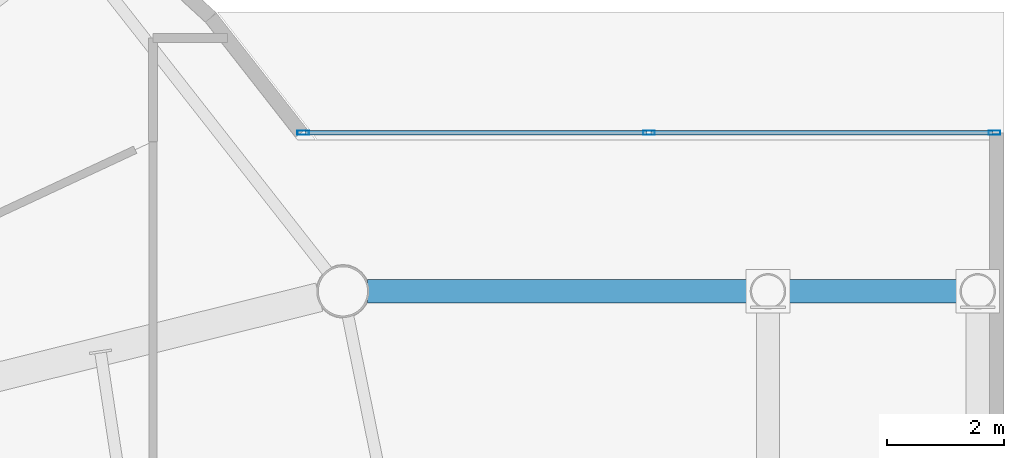
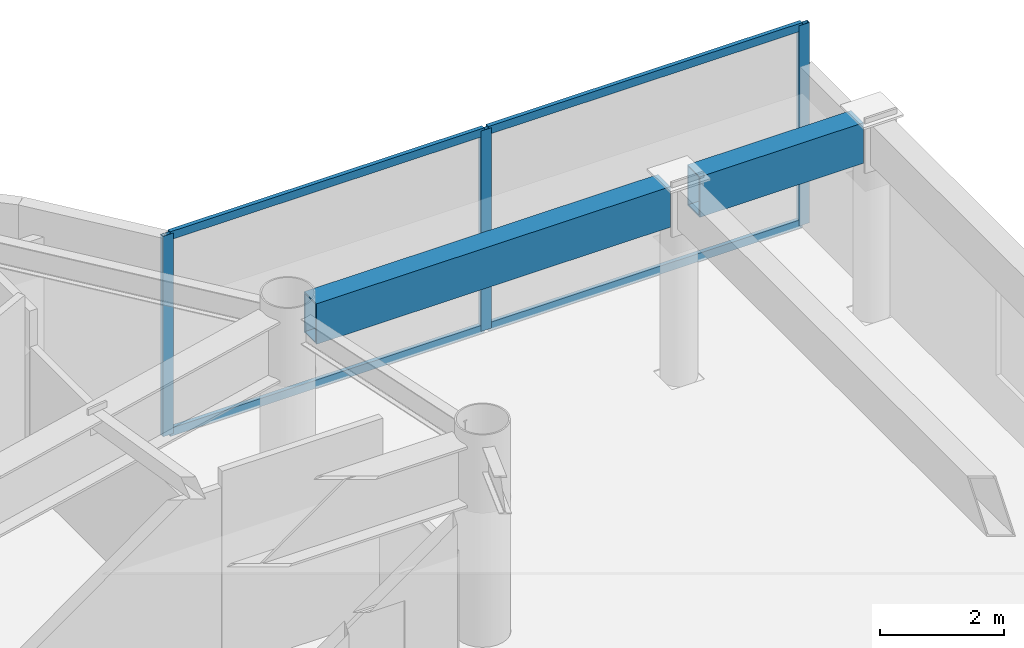
# One storey, part 12 of 26: 7 members, 2 beams, 1 element without a shape of its own.
"""IFC4 building model written with IfcOpenShell, lengths in metres."""

from ifc_helpers import new_model, si_unit, direction, frame, origin, origin_2d, place, context, subcontext, project, spatial, hollow_rectangle, extrude, source, transform, mapped, material, layer, layer_set, material_profile, profile_set, type_object, element, aggregate, save


model = new_model("IFC4")

# Units and contexts
model_context = context("Model", 3, precision=1e-05, world=origin(), true_north=direction((0.0, 1.0)))
body_context = subcontext(model_context, "Body", "Model", "MODEL_VIEW")
ifc_project = project(units=[si_unit("LENGTHUNIT", "METRE"), si_unit("AREAUNIT", "SQUARE_METRE"), si_unit("VOLUMEUNIT", "CUBIC_METRE"), si_unit("PLANEANGLEUNIT", "RADIAN"), si_unit("MASSUNIT", "GRAM", prefix="KILO")], contexts=[model_context])

# Site, building, storey
site_placement = place(None, origin())
site = spatial("IfcSite", under=ifc_project, at=site_placement, CompositionType="ELEMENT")
building_placement = place(site_placement, origin())
building = spatial("IfcBuilding", under=site, at=building_placement, Name="Linh Dai School and Residence Tower", CompositionType="ELEMENT")
storey_placement = place(building_placement, frame((0.0, 0.0, 351.0)))
storey = spatial("IfcBuildingStorey", under=building, at=storey_placement, Name="L87", CompositionType="ELEMENT", Elevation=351.0)

# Beams
ifc_material_1 = material(Name="Structural Steel S355JR", Category="steel")
ifc_material_profile_1 = material_profile(ifc_material_1, hollow_rectangle(XDim=0.39990234375, YDim=0.800048828125, WallThickness=0.02490234375, at=origin_2d()), Name="RHS 800x400x25")
ifc_profile_set_1 = profile_set([ifc_material_profile_1], Name="Structural Steel S355JR")
beam_type = type_object("IfcBeamType", Name="BM-BX8", PredefinedType="BEAM", material=ifc_profile_set_1)
beam_1_placement = place(storey_placement, frame((55.177734375, 31.65478515625, 3.550048828125), z_axis=(1.0, 0.0, 0.0), x_axis=(0.0, 1.0, 0.0)))
element("IfcBeam", 1, at=beam_1_placement, inside=storey, type_object=beam_type, Name="L87 Sky-Lounge Vierendeel Inner Chord N", PredefinedType="BEAM", context=body_context, shape_type="SweptSolid", body=[
    extrude(hollow_rectangle(XDim=0.39990234375, YDim=0.800048828125, WallThickness=0.02490234375, at=origin_2d()), origin(), (0.0, 0.0, 1.0), 6.59716796875),
])
beam_2_placement = place(storey_placement, frame((62.324951171875, 31.65478515625, 3.550048828125), z_axis=(1.0, 0.0, 0.0), x_axis=(0.0, 1.0, 0.0)))
element("IfcBeam", 2, at=beam_2_placement, inside=storey, type_object=beam_type, Name="L87 Sky-Lounge Vierendeel Outer Chord N", PredefinedType="BEAM", context=body_context, shape_type="SweptSolid", body=[
    extrude(hollow_rectangle(XDim=0.39990234375, YDim=0.800048828125, WallThickness=0.02490234375, at=origin_2d()), origin(), (0.0, 0.0, 1.0), 3.050048828125),
])

# Curtain wall, members
ifc_material_2 = material(Name="Aluminium Anodised Curtain Wall", Category="aluminium")
ifc_layer = layer(ifc_material_2, 0.199951171875)
ifc_layer_set = layer_set([ifc_layer], Name="Aluminium Anodised Curtain Wall")
curtain_wall_type = type_object("IfcCurtainWallType", Name="CW-SYS-6", PredefinedType="USERDEFINED", material=ifc_layer_set)
curtain_wall_placement = place(storey_placement, origin())
curtain_wall = element("IfcCurtainWall", 3, at=curtain_wall_placement, inside=storey, type_object=curtain_wall_type, Name="L87 CW6 Curtain Wall 03", ObjectType="UNITISED CURTAIN WALL", PredefinedType="USERDEFINED")
ifc_material_3 = material(Name="Aluminium Alloy 6063-T6", Category="aluminium")
ifc_material_profile_2 = material_profile(ifc_material_3, hollow_rectangle(XDim=0.074951171875, YDim=0.159912109375, WallThickness=0.00390625, at=origin_2d()), Name="RHS 160x75x4")
ifc_profile_set_2 = profile_set([ifc_material_profile_2], Name="Aluminium Alloy 6063-T6")
member_type_1 = type_object("IfcMemberType", Name="CW-SYS-6-TRN", PredefinedType="USERDEFINED", material=ifc_profile_set_2)
shared_shape_1 = source(origin(), body_context, "Body", "SweptSolid", [
    extrude(hollow_rectangle(XDim=0.074951171875, YDim=0.159912109375, WallThickness=0.00390625, at=origin_2d()), origin(), (0.0, 0.0, 1.0), 5.85498046875),
])
member_1_placement = place(storey_placement, frame((54.114990234375, 34.375, 0.03759765625), z_axis=(1.0, 0.0, 0.0), x_axis=(0.0, 1.0, 0.0)))
member_1 = element("IfcMember", 4, at=member_1_placement, type_object=member_type_1, Name="CW6 transom 1.1", ObjectType="TRANSOM", PredefinedType="USERDEFINED", context=body_context, shape_type="MappedRepresentation", body=[
    mapped(shared_shape_1, transform((0.0, 0.0, 0.0), x_axis=(1.0, 0.0, 0.0), y_axis=(0.0, 1.0, 0.0), z_axis=(0.0, 0.0, 1.0), scale=1.0)),
])
member_2_placement = place(storey_placement, frame((54.114990234375, 34.375, 3.91259765625), z_axis=(1.0, 0.0, 0.0), x_axis=(0.0, 1.0, 0.0)))
member_2 = element("IfcMember", 5, at=member_2_placement, type_object=member_type_1, Name="CW6 transom 1.2", ObjectType="TRANSOM", PredefinedType="USERDEFINED", context=body_context, shape_type="MappedRepresentation", body=[
    mapped(shared_shape_1, transform((0.0, 0.0, 0.0), x_axis=(1.0, 0.0, 0.0), y_axis=(0.0, 1.0, 0.0), z_axis=(0.0, 0.0, 1.0), scale=1.0)),
])
member_3_placement = place(storey_placement, frame((60.044921875, 34.375, 0.03759765625), z_axis=(1.0, 0.0, 0.0), x_axis=(0.0, 1.0, 0.0)))
member_3 = element("IfcMember", 6, at=member_3_placement, type_object=member_type_1, Name="CW6 transom 2.1", ObjectType="TRANSOM", PredefinedType="USERDEFINED", context=body_context, shape_type="MappedRepresentation", body=[
    mapped(shared_shape_1, transform((0.0, 0.0, 0.0), x_axis=(1.0, 0.0, 0.0), y_axis=(0.0, 1.0, 0.0), z_axis=(0.0, 0.0, 1.0), scale=1.0)),
])
member_4_placement = place(storey_placement, frame((60.044921875, 34.375, 3.91259765625), z_axis=(1.0, 0.0, 0.0), x_axis=(0.0, 1.0, 0.0)))
member_4 = element("IfcMember", 7, at=member_4_placement, type_object=member_type_1, Name="CW6 transom 2.2", ObjectType="TRANSOM", PredefinedType="USERDEFINED", context=body_context, shape_type="MappedRepresentation", body=[
    mapped(shared_shape_1, transform((0.0, 0.0, 0.0), x_axis=(1.0, 0.0, 0.0), y_axis=(0.0, 1.0, 0.0), z_axis=(0.0, 0.0, 1.0), scale=1.0)),
])
ifc_material_profile_3 = material_profile(ifc_material_3, hollow_rectangle(XDim=0.074951171875, YDim=0.199951171875, WallThickness=0.00390625, at=origin_2d()), Name="RHS 200x75x4")
ifc_profile_set_3 = profile_set([ifc_material_profile_3], Name="Aluminium Alloy 6063-T6")
member_type_2 = type_object("IfcMemberType", Name="CW-SYS-6-MUL", PredefinedType="MULLION", material=ifc_profile_set_3)
shared_shape_2 = source(origin(), body_context, "Body", "SweptSolid", [
    extrude(hollow_rectangle(XDim=0.074951171875, YDim=0.199951171875, WallThickness=0.00390625, at=origin_2d()), origin(), (0.0, 0.0, 1.0), 3.949951171875),
])
member_5_placement = place(storey_placement, frame((54.07763671875, 34.375, 0.0), z_axis=(0.0, 0.0, 1.0), x_axis=(0.0, 1.0, 0.0)))
member_5 = element("IfcMember", 8, at=member_5_placement, type_object=member_type_2, Name="CW6 mullion 1", PredefinedType="MULLION", context=body_context, shape_type="MappedRepresentation", body=[
    mapped(shared_shape_2, transform((0.0, 0.0, 0.0), x_axis=(1.0, 0.0, 0.0), y_axis=(0.0, 1.0, 0.0), z_axis=(0.0, 0.0, 1.0), scale=1.0)),
])
member_6_placement = place(storey_placement, frame((60.007568359375, 34.375, 0.0), z_axis=(0.0, 0.0, 1.0), x_axis=(0.0, 1.0, 0.0)))
member_6 = element("IfcMember", 9, at=member_6_placement, type_object=member_type_2, Name="CW6 mullion 2", PredefinedType="MULLION", context=body_context, shape_type="MappedRepresentation", body=[
    mapped(shared_shape_2, transform((0.0, 0.0, 0.0), x_axis=(1.0, 0.0, 0.0), y_axis=(0.0, 1.0, 0.0), z_axis=(0.0, 0.0, 1.0), scale=1.0)),
])
member_7_placement = place(storey_placement, frame((65.9375, 34.375, 0.0), z_axis=(0.0, 0.0, 1.0), x_axis=(0.0, 1.0, 0.0)))
member_7 = element("IfcMember", 10, at=member_7_placement, type_object=member_type_2, Name="CW6 mullion 3", PredefinedType="MULLION", context=body_context, shape_type="MappedRepresentation", body=[
    mapped(shared_shape_2, transform((0.0, 0.0, 0.0), x_axis=(1.0, 0.0, 0.0), y_axis=(0.0, 1.0, 0.0), z_axis=(0.0, 0.0, 1.0), scale=1.0)),
])
aggregate(curtain_wall, [member_5, member_6, member_7, member_1, member_2, member_3, member_4])

save(model, "model.ifc")
